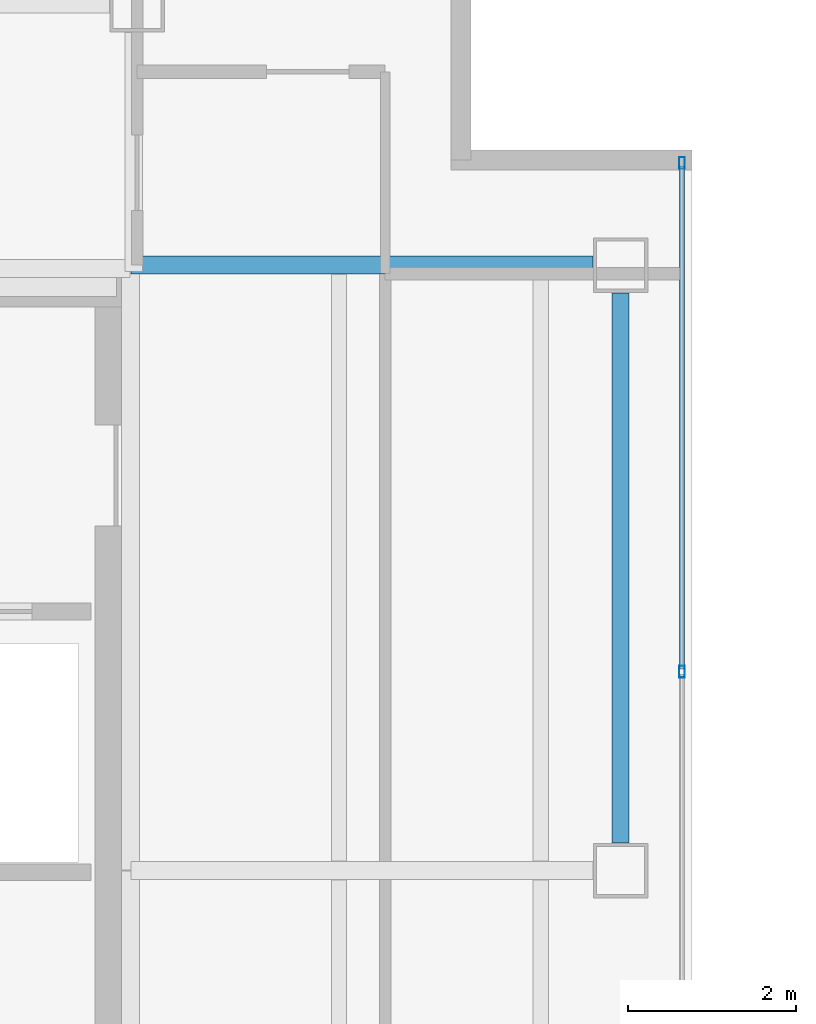
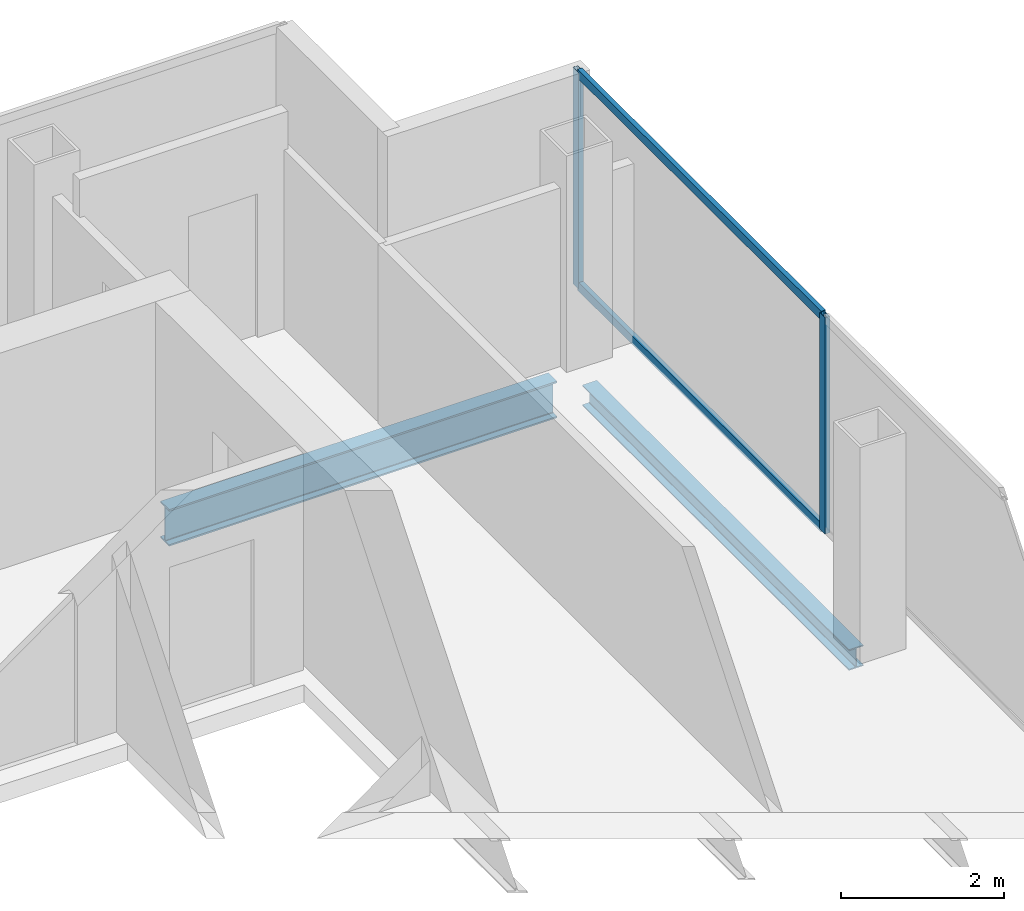
# One storey, part 11 of 23: 4 members, 2 beams, 1 element without a shape of its own.
"""IFC4 building model written with IfcOpenShell, lengths in metres."""

import ifcopenshell
import ifcopenshell.guid

model = None  # the IFC model being written
_history = None  # IfcOwnerHistory: only IFC2X3 demands one
_inside = {}  # id of a spatial element -> (the spatial element, [elements in it])
_under = {}  # id of a project, library or spatial element -> (it, [spatial elements below it])
_declared = {}  # id of a project -> (the project, [libraries it declares])
_typed = {}  # id of a type object -> (the type object, [elements of that type])
_made_of = {}  # id of a material, layer set ... -> (it, [elements and type objects made of it])


def new_model(schema):
    """Start an empty IFC model of exactly this schema.

    Asked for "IFC4X3", IfcOpenShell would pick the latest addendum, in which some entities
    have other attributes; the version numbers below select the first issue.
    IFC2X3 requires an IfcOwnerHistory on every rooted entity: one is made here for all.
    """
    global model, _history
    if schema == "IFC4X3":
        model = ifcopenshell.file(schema_version=(4, 3, 0, 0))
    else:
        model = ifcopenshell.file(schema=schema)
    _inside.clear()
    _under.clear()
    _declared.clear()
    _typed.clear()
    _made_of.clear()
    _history = None
    if model.schema == "IFC2X3":
        org = make("IfcOrganization", Name="unknown")
        user = make(
            "IfcPersonAndOrganization",
            ThePerson=make("IfcPerson", FamilyName="unknown"),
            TheOrganization=org,
        )
        app = make(
            "IfcApplication",
            ApplicationDeveloper=org,
            Version="unknown",
            ApplicationFullName="unknown",
            ApplicationIdentifier="unknown",
        )
        _history = make(
            "IfcOwnerHistory",
            OwningUser=user,
            OwningApplication=app,
            ChangeAction="ADDED",
            CreationDate=0,
        )
    return model


def make(cls, **values):
    """One entity of the class cls with the attributes given. An attribute that is None is left unset."""
    return model.create_entity(
        cls, **{name: value for name, value in values.items() if value is not None}
    )


def rooted(cls, **values):
    """An entity with a GlobalId (a new one), such as an element, a storey or a relation."""
    return make(cls, GlobalId=ifcopenshell.guid.new(), OwnerHistory=_history, **values)


def si_unit(unit_type, name, prefix=None):
    """IfcSIUnit, for example si_unit("LENGTHUNIT", "METRE", prefix="MILLI")."""
    return make("IfcSIUnit", UnitType=unit_type, Prefix=prefix, Name=name)


def assignment(units):
    """IfcUnitAssignment: the units of a project."""
    return None if units is None else make("IfcUnitAssignment", Units=units)


def point(xyz):
    """IfcCartesianPoint."""
    return None if xyz is None else make("IfcCartesianPoint", Coordinates=xyz)


def direction(xyz):
    """IfcDirection."""
    return None if xyz is None else make("IfcDirection", DirectionRatios=xyz)


def frame(location, z_axis=None, x_axis=None):
    """IfcAxis2Placement3D, a coordinate frame: its origin and axes. An axis left out is left unset."""
    return make(
        "IfcAxis2Placement3D",
        Location=point(location),
        Axis=direction(z_axis),
        RefDirection=direction(x_axis),
    )


def frame_2d(location, x_axis=None):
    """IfcAxis2Placement2D, a coordinate frame in the plane: its origin and x axis."""
    return make(
        "IfcAxis2Placement2D", Location=point(location), RefDirection=direction(x_axis)
    )


def origin():
    """The frame at (0, 0, 0) with its axes left unset."""
    return frame((0.0, 0.0, 0.0))


def origin_2d():
    """The frame at (0, 0) in the plane with its x axis left unset."""
    return frame_2d((0.0, 0.0))


def place(relative_to, where):
    """IfcLocalPlacement: puts the frame where relative to a parent placement (None: the world)."""
    return make(
        "IfcLocalPlacement", PlacementRelTo=relative_to, RelativePlacement=where
    )


def context(
    kind, dimensions, precision=None, world=None, true_north=None, identifier=None
):
    """IfcGeometricRepresentationContext, for example the 3D "Model" context."""
    return make(
        "IfcGeometricRepresentationContext",
        ContextIdentifier=identifier,
        ContextType=kind,
        CoordinateSpaceDimension=dimensions,
        Precision=precision,
        WorldCoordinateSystem=world,
        TrueNorth=true_north,
    )


def subcontext(parent, identifier, kind, view, scale=None):
    """IfcGeometricRepresentationSubContext, for example "Body" below "Model"."""
    return make(
        "IfcGeometricRepresentationSubContext",
        ContextIdentifier=identifier,
        ContextType=kind,
        ParentContext=parent,
        TargetScale=scale,
        TargetView=view,
    )


def project(units=None, contexts=None):
    """IfcProject with its units and contexts."""
    return rooted(
        "IfcProject",
        Name="project",
        RepresentationContexts=contexts,
        UnitsInContext=assignment(units),
    )


def spatial(cls, under=None, at=None, **own):
    """A site, building, storey or space (cls), placed at a placement, below another one or the project."""
    s = rooted(cls, ObjectPlacement=at, **own)
    if under is not None:
        _under.setdefault(under.id(), (under, []))[1].append(s)
    return s


def profile(cls, at=None, kind="AREA", **sizes):
    """A parametric profile (cls). Its sizes go by their IFC names, for example OverallWidth=200.0."""
    return make(cls, ProfileType=kind, Position=at, **sizes)


def hollow_rectangle(**sizes):
    """IfcRectangleHollowProfileDef."""
    return profile("IfcRectangleHollowProfileDef", **sizes)


def i_section(**sizes):
    """IfcIShapeProfileDef."""
    return profile("IfcIShapeProfileDef", **sizes)


def extrude(swept, where, along, depth):
    """IfcExtrudedAreaSolid: the profile swept, set in the frame where, extruded along a direction by depth."""
    return make(
        "IfcExtrudedAreaSolid",
        SweptArea=swept,
        Position=where,
        ExtrudedDirection=direction(along),
        Depth=depth,
    )


def shape(context_of_items, identifier, shape_type, items):
    """IfcShapeRepresentation: the items that make up one representation, for example the "Body"."""
    return make(
        "IfcShapeRepresentation",
        ContextOfItems=context_of_items,
        RepresentationIdentifier=identifier,
        RepresentationType=shape_type,
        Items=items,
    )


def material(Name=None, Category=None):
    """IfcMaterial."""
    return make("IfcMaterial", Name=Name, Category=Category)


def material_profile(
    of_material, cross_section, Name=None, Category=None, Priority=None
):
    """IfcMaterialProfile: a cross section and its material."""
    return make(
        "IfcMaterialProfile",
        Name=Name,
        Material=of_material,
        Profile=cross_section,
        Priority=Priority,
        Category=Category,
    )


def profile_set(profiles, Name=None, composite=None):
    """IfcMaterialProfileSet."""
    return make(
        "IfcMaterialProfileSet",
        Name=Name,
        MaterialProfiles=profiles,
        CompositeProfile=composite,
    )


def made_of(thing, what):
    """Note that an element or type object is made of a material, layer set ...; save() writes the relation."""
    if what is not None:
        _made_of.setdefault(what.id(), (what, []))[1].append(thing)
    return thing


def type_object(cls, material=None, **own):
    """A type object (cls), such as IfcWallType, which elements share."""
    return made_of(rooted(cls, **own), material)


def element(
    cls,
    number,
    at=None,
    inside=None,
    cuts=None,
    type_object=None,
    material=None,
    context=None,
    identifier="Body",
    shape_type=None,
    held_by="IfcProductDefinitionShape",
    body=None,
    shapes=None,
    **own,
):
    """One element of the class cls, such as IfcWall. Its Tag is "e" and its number.

    at: its placement. inside: the storey or other place that contains it. cuts: it is an
    opening in that element (IfcRelVoidsElement). A single representation is given by context,
    identifier, shape_type and body (its items); several are given by shapes. held_by: the class
    of the entity that holds the representations. save() writes the other relations.
    """
    e = rooted(cls, Tag="e%d" % number, ObjectPlacement=at, **own)
    if body is not None:
        shapes = [shape(context, identifier, shape_type, body)]
    if shapes is not None:
        e.Representation = make(held_by, Representations=shapes)
    if inside is not None:
        _inside.setdefault(inside.id(), (inside, []))[1].append(e)
    if cuts is not None:
        rooted(
            "IfcRelVoidsElement", RelatingBuildingElement=cuts, RelatedOpeningElement=e
        )
    if type_object is not None:
        _typed.setdefault(type_object.id(), (type_object, []))[1].append(e)
    return made_of(e, material)


def aggregate(whole, parts):
    """IfcRelAggregates: a whole, such as a stair, and the parts it consists of."""
    return rooted("IfcRelAggregates", RelatingObject=whole, RelatedObjects=parts)


def save(model, path):
    """Write the relations noted so far, then the file.

    IfcRelAggregates (storeys below a building ...), IfcRelContainedInSpatialStructure (elements
    in a storey), IfcRelDefinesByType, IfcRelAssociatesMaterial and IfcRelDeclares: one each for
    every whole, place, type object, material and project.
    """
    for whole, parts in _under.values():
        aggregate(whole, parts)
    for where, things in _inside.values():
        rooted(
            "IfcRelContainedInSpatialStructure",
            RelatedElements=things,
            RelatingStructure=where,
        )
    for kind, things in _typed.values():
        rooted("IfcRelDefinesByType", RelatedObjects=things, RelatingType=kind)
    for what, things in _made_of.values():
        rooted("IfcRelAssociatesMaterial", RelatedObjects=things, RelatingMaterial=what)
    for by, libraries in _declared.values():
        rooted("IfcRelDeclares", RelatingContext=by, RelatedDefinitions=libraries)
    model.write(path)


model = new_model("IFC4")

# Units and contexts
model_context = context("Model", 3, precision=1e-05, world=origin(), true_north=direction((0.0, 1.0)))
body_context = subcontext(model_context, "Body", "Model", "MODEL_VIEW")
ifc_project = project(units=[si_unit("LENGTHUNIT", "METRE"), si_unit("AREAUNIT", "SQUARE_METRE"), si_unit("VOLUMEUNIT", "CUBIC_METRE"), si_unit("PLANEANGLEUNIT", "RADIAN"), si_unit("MASSUNIT", "GRAM", prefix="KILO")], contexts=[model_context])

# Site, building, storey
site_placement = place(None, origin())
site = spatial("IfcSite", under=ifc_project, at=site_placement, CompositionType="ELEMENT")
building_placement = place(site_placement, origin())
building = spatial("IfcBuilding", under=site, at=building_placement, Name="Cobrela Telecom Tower", CompositionType="ELEMENT")
storey_placement = place(building_placement, frame((0.0, 0.0, 276.14990234375)))
storey = spatial("IfcBuildingStorey", under=building, at=storey_placement, Name="L72", CompositionType="ELEMENT", Elevation=276.14990234375)

# Beams
ifc_material_1 = material(Name="Steel ASTM A992 Grade 50", Category="steel")
ifc_material_profile_1 = material_profile(ifc_material_1, i_section(OverallWidth=0.212890625, OverallDepth=0.549072265625, WebThickness=0.0146484375, FlangeThickness=0.023681640625, FilletRadius=0.013916015625, at=origin_2d()), Name="W21X93")
ifc_profile_set_1 = profile_set([ifc_material_profile_1], Name="Steel ASTM A992 Grade 50")
beam_type_1 = type_object("IfcBeamType", Name="BM-GIRD-08", PredefinedType="USERDEFINED", material=ifc_profile_set_1)
beam_1_placement = place(storey_placement, frame((14.324951171875, 36.0, -0.534423828125), z_axis=(1.0, 0.0, 0.0), x_axis=(0.0, 1.0, 0.0)))
element("IfcBeam", 1, at=beam_1_placement, inside=storey, type_object=beam_type_1, Name="L72 Primary Girder X18", ObjectType="GIRDER", PredefinedType="USERDEFINED", context=body_context, shape_type="SweptSolid", body=[
    extrude(i_section(OverallWidth=0.212890625, OverallDepth=0.549072265625, WebThickness=0.0146484375, FlangeThickness=0.023681640625, FilletRadius=0.013916015625, at=origin_2d()), origin(), (0.0, 0.0, 1.0), 5.4951171875),
])
ifc_material_profile_2 = material_profile(ifc_material_1, i_section(OverallWidth=0.205078125, OverallDepth=0.31005859375, WebThickness=0.009521484375, FlangeThickness=0.016357421875, FilletRadius=0.010986328125, at=origin_2d()), Name="W12X50")
ifc_profile_set_2 = profile_set([ifc_material_profile_2], Name="Steel ASTM A992 Grade 50")
beam_type_2 = type_object("IfcBeamType", Name="BM-SPAND-07", PredefinedType="SPANDREL", material=ifc_profile_set_2)
beam_2_placement = place(storey_placement, frame((20.14990234375, 29.1298828125, -0.414794921875), z_axis=(0.0, 1.0, 0.0), x_axis=(-1.0, 0.0, 0.0)))
element("IfcBeam", 2, at=beam_2_placement, inside=storey, type_object=beam_type_2, Name="L72 Perimeter Spandrel Y26", PredefinedType="SPANDREL", context=body_context, shape_type="SweptSolid", body=[
    extrude(i_section(OverallWidth=0.205078125, OverallDepth=0.31005859375, WebThickness=0.009521484375, FlangeThickness=0.016357421875, FilletRadius=0.010986328125, at=origin_2d()), origin(), (0.0, 0.0, 1.0), 6.5400390625),
])

# Curtain wall, members
ifc_material_2 = material(Name="Anodized Bronze Aluminium 6063-T6", Category="aluminium")
curtain_wall_type = type_object("IfcCurtainWallType", Name="CW-SYS-OFF-HI", PredefinedType="USERDEFINED", material=ifc_material_2)
curtain_wall_placement = place(storey_placement, origin())
curtain_wall = element("IfcCurtainWall", 3, at=curtain_wall_placement, inside=storey, type_object=curtain_wall_type, Name="L72 Unitised Bronze Curtain Wall 08", ObjectType="UNITISED CURTAIN WALL", PredefinedType="USERDEFINED")
ifc_material_profile_3 = material_profile(ifc_material_2, hollow_rectangle(XDim=0.070068359375, YDim=0.139892578125, WallThickness=0.00390625, at=origin_2d()), Name="ALU 70x140x4")
ifc_profile_set_3 = profile_set([ifc_material_profile_3], Name="Anodized Bronze Aluminium 6063-T6")
member_type_1 = type_object("IfcMemberType", Name="CW-SYS-OFF-HI-MUL", PredefinedType="MULLION", material=ifc_profile_set_3)
member_1_placement = place(storey_placement, frame((20.8798828125, 37.215087890625, 0.0), z_axis=(0.0, 0.0, 1.0), x_axis=(1.0, 0.0, 0.0)))
member_1 = element("IfcMember", 4, at=member_1_placement, type_object=member_type_1, Name="CW-OFF-HI mullion 1", PredefinedType="MULLION", context=body_context, shape_type="SweptSolid", body=[
    extrude(hollow_rectangle(XDim=0.070068359375, YDim=0.139892578125, WallThickness=0.00390625, at=origin_2d()), origin(), (0.0, 0.0, 1.0), 3.239990234375),
])
member_2_placement = place(storey_placement, frame((20.8798828125, 31.1650390625, 0.0), z_axis=(0.0, 0.0, 1.0), x_axis=(1.0, 0.0, 0.0)))
member_2 = element("IfcMember", 5, at=member_2_placement, type_object=member_type_1, Name="CW-OFF-HI mullion 2", PredefinedType="MULLION", context=body_context, shape_type="SweptSolid", body=[
    extrude(hollow_rectangle(XDim=0.070068359375, YDim=0.139892578125, WallThickness=0.00390625, at=origin_2d()), origin(), (0.0, 0.0, 1.0), 3.239990234375),
])
ifc_material_profile_4 = material_profile(ifc_material_2, hollow_rectangle(XDim=0.06494140625, YDim=0.1298828125, WallThickness=0.00390625, at=origin_2d()), Name="ALU 65x130x4")
ifc_profile_set_4 = profile_set([ifc_material_profile_4], Name="Anodized Bronze Aluminium 6063-T6")
member_type_2 = type_object("IfcMemberType", Name="CW-SYS-OFF-HI-TRN", PredefinedType="USERDEFINED", material=ifc_profile_set_4)
member_3_placement = place(storey_placement, frame((20.8798828125, 37.179931640625, 0.03271484375), z_axis=(0.0, -1.0, 0.0), x_axis=(1.0, 0.0, 0.0)))
member_3 = element("IfcMember", 6, at=member_3_placement, type_object=member_type_2, Name="CW-OFF-HI transom 1.1", ObjectType="TRANSOM", PredefinedType="USERDEFINED", context=body_context, shape_type="SweptSolid", body=[
    extrude(hollow_rectangle(XDim=0.06494140625, YDim=0.1298828125, WallThickness=0.00390625, at=origin_2d()), origin(), (0.0, 0.0, 1.0), 5.97998046875),
])
member_4_placement = place(storey_placement, frame((20.8798828125, 37.179931640625, 3.20751953125), z_axis=(0.0, -1.0, 0.0), x_axis=(1.0, 0.0, 0.0)))
member_4 = element("IfcMember", 7, at=member_4_placement, type_object=member_type_2, Name="CW-OFF-HI transom 1.2", ObjectType="TRANSOM", PredefinedType="USERDEFINED", context=body_context, shape_type="SweptSolid", body=[
    extrude(hollow_rectangle(XDim=0.06494140625, YDim=0.1298828125, WallThickness=0.00390625, at=origin_2d()), origin(), (0.0, 0.0, 1.0), 5.97998046875),
])
aggregate(curtain_wall, [member_1, member_2, member_3, member_4])

save(model, "model.ifc")
